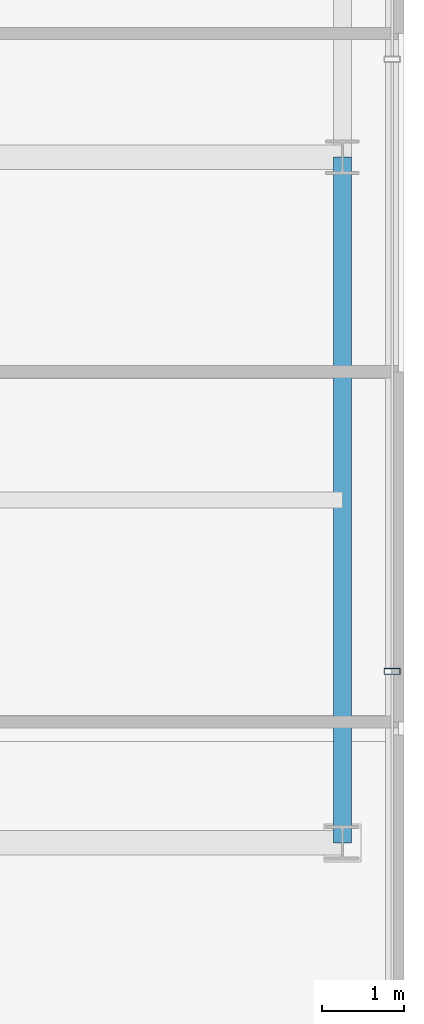
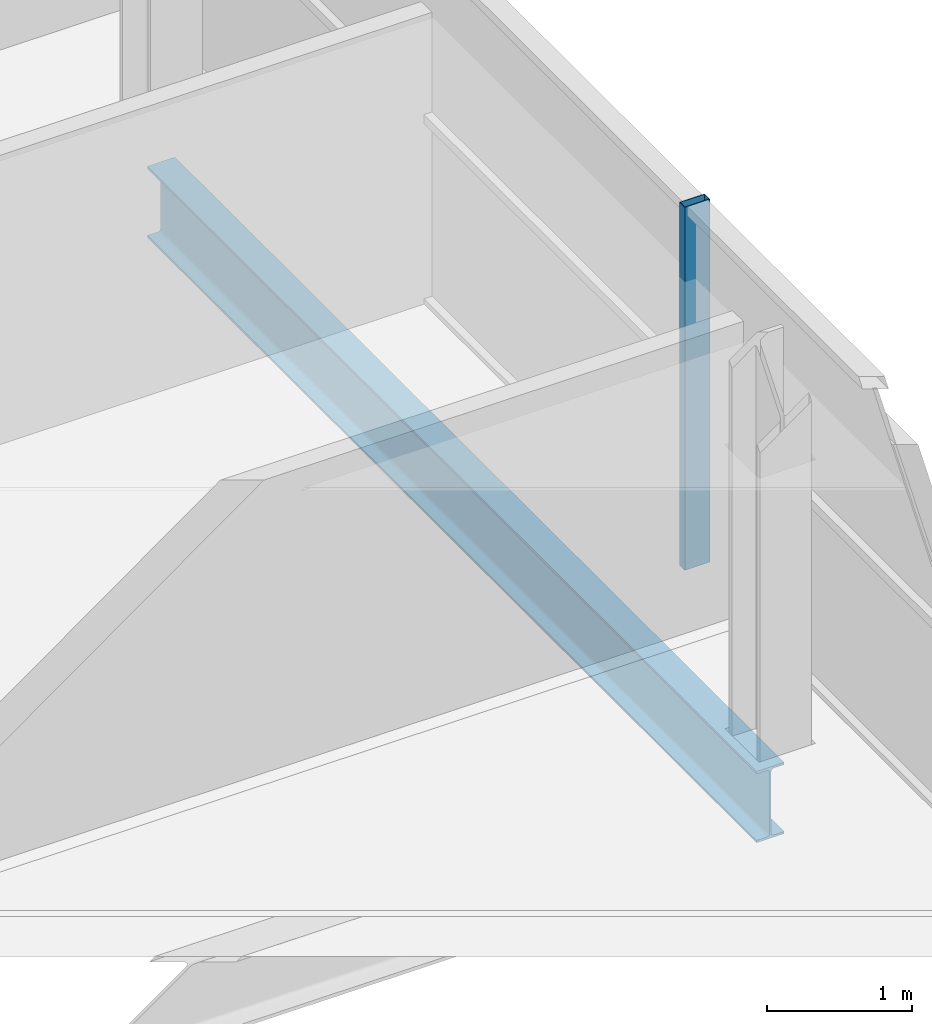
# One storey, part 13 of 31: 1 beam, 1 member, 1 element without a shape of its own.
"""IFC4 building model written with IfcOpenShell, lengths in metres."""

from ifc_helpers import new_model, si_unit, direction, frame, origin, origin_2d, place, context, subcontext, project, spatial, hollow_rectangle, i_section, extrude, source, transform, mapped, material, layer, layer_set, material_profile, profile_set, type_object, element, aggregate, save


model = new_model("IFC4")

# Units and contexts
model_context = context("Model", 3, precision=1e-05, world=origin(), true_north=direction((0.0, 1.0)))
body_context = subcontext(model_context, "Body", "Model", "MODEL_VIEW")
ifc_project = project(units=[si_unit("LENGTHUNIT", "METRE"), si_unit("AREAUNIT", "SQUARE_METRE"), si_unit("VOLUMEUNIT", "CUBIC_METRE"), si_unit("PLANEANGLEUNIT", "RADIAN"), si_unit("MASSUNIT", "GRAM", prefix="KILO")], contexts=[model_context])

# Site, building, storey
site_placement = place(None, origin())
site = spatial("IfcSite", under=ifc_project, at=site_placement, CompositionType="ELEMENT")
building_placement = place(site_placement, origin())
building = spatial("IfcBuilding", under=site, at=building_placement, Name="Zarnakvel Exchange Tower", CompositionType="ELEMENT")
storey_placement = place(building_placement, frame((0.0, 0.0, 47.199951171875)))
storey = spatial("IfcBuildingStorey", under=building, at=storey_placement, Name="L12", CompositionType="ELEMENT", Elevation=47.199951171875)

# Beam
ifc_material_1 = material(Name="Steel S355", Category="steel")
ifc_material_profile_1 = material_profile(ifc_material_1, i_section(OverallWidth=0.219970703125, OverallDepth=0.60009765625, WebThickness=0.011962890625, FlangeThickness=0.01904296875, FilletRadius=0.02392578125, at=origin_2d()))
ifc_profile_set_1 = profile_set([ifc_material_profile_1], Name="Steel S355")
beam_type = type_object("IfcBeamType", Name="SP-01", PredefinedType="SPANDREL", material=ifc_profile_set_1)
beam_placement = place(storey_placement, frame((27.85009765625, -9.60009765625, -0.52490234375), z_axis=(0.0, 1.0, 0.0), x_axis=(-1.0, 0.0, 0.0)))
element("IfcBeam", 1, at=beam_placement, inside=storey, type_object=beam_type, Name="L12 Tower N-S Frame Beam", PredefinedType="SPANDREL", context=body_context, shape_type="SweptSolid", body=[
    extrude(i_section(OverallWidth=0.219970703125, OverallDepth=0.60009765625, WebThickness=0.011962890625, FlangeThickness=0.01904296875, FilletRadius=0.02392578125, at=origin_2d()), origin(), (0.0, 0.0, 1.0), 8.400146484375),
])

# Curtain wall, member
ifc_material_2 = material(Name="Architectural Bronze Anodised Aluminium", Category="aluminium")
ifc_layer = layer(ifc_material_2, 0.199951171875)
ifc_layer_set = layer_set([ifc_layer], Name="Architectural Bronze Anodised Aluminium")
curtain_wall_type = type_object("IfcCurtainWallType", Name="CW-04", PredefinedType="NOTDEFINED", material=ifc_layer_set)
curtain_wall_placement = place(storey_placement, origin())
curtain_wall = element("IfcCurtainWall", 2, at=curtain_wall_placement, inside=storey, type_object=curtain_wall_type, Name="L12 Curtain Wall CW-L12-E1 (CW-04)", PredefinedType="NOTDEFINED")
ifc_material_profile_2 = material_profile(ifc_material_2, hollow_rectangle(XDim=0.199951171875, YDim=0.074951171875, WallThickness=0.0048828125, at=origin_2d()))
ifc_profile_set_2 = profile_set([ifc_material_profile_2], Name="Architectural Bronze Anodised Aluminium")
member_type = type_object("IfcMemberType", Name="CWM-04", PredefinedType="MULLION", material=ifc_profile_set_2)
shared_shape = source(origin(), body_context, "Body", "SweptSolid", [
    extrude(hollow_rectangle(XDim=0.199951171875, YDim=0.074951171875, WallThickness=0.0048828125, at=origin_2d()), origin(), (0.0, 0.0, 1.0), 3.054931640625),
])
member_placement = place(storey_placement, frame((28.4599609375, -7.5, 0.0), z_axis=(0.0, 0.0, 1.0), x_axis=(-1.0, 0.0, 0.0)))
member = element("IfcMember", 3, at=member_placement, type_object=member_type, Name="CW-04 mullion 2", PredefinedType="MULLION", context=body_context, shape_type="MappedRepresentation", body=[
    mapped(shared_shape, transform((0.0, 0.0, 0.0), x_axis=(1.0, 0.0, 0.0), y_axis=(0.0, 1.0, 0.0), z_axis=(0.0, 0.0, 1.0), scale=1.0)),
])
aggregate(curtain_wall, [member])

save(model, "model.ifc")
